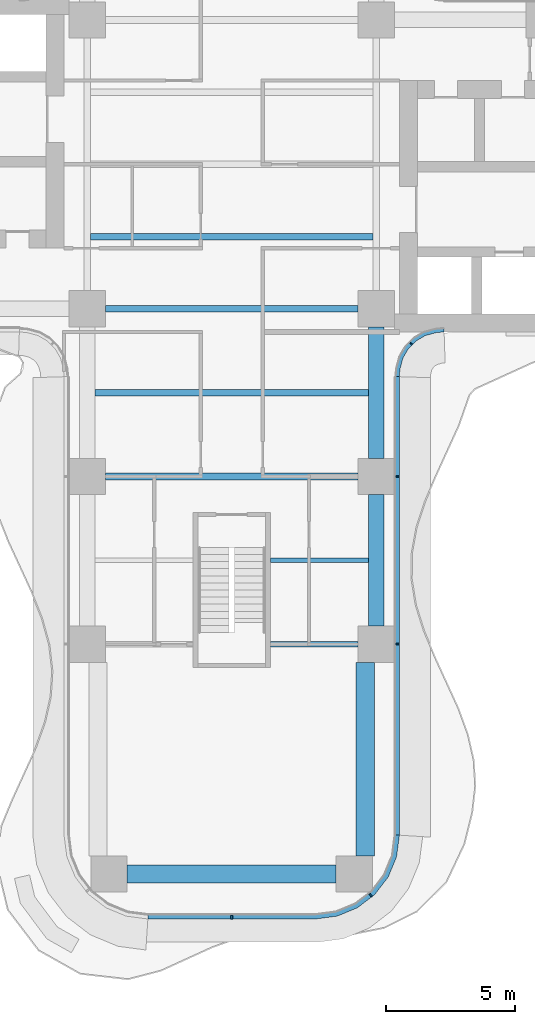
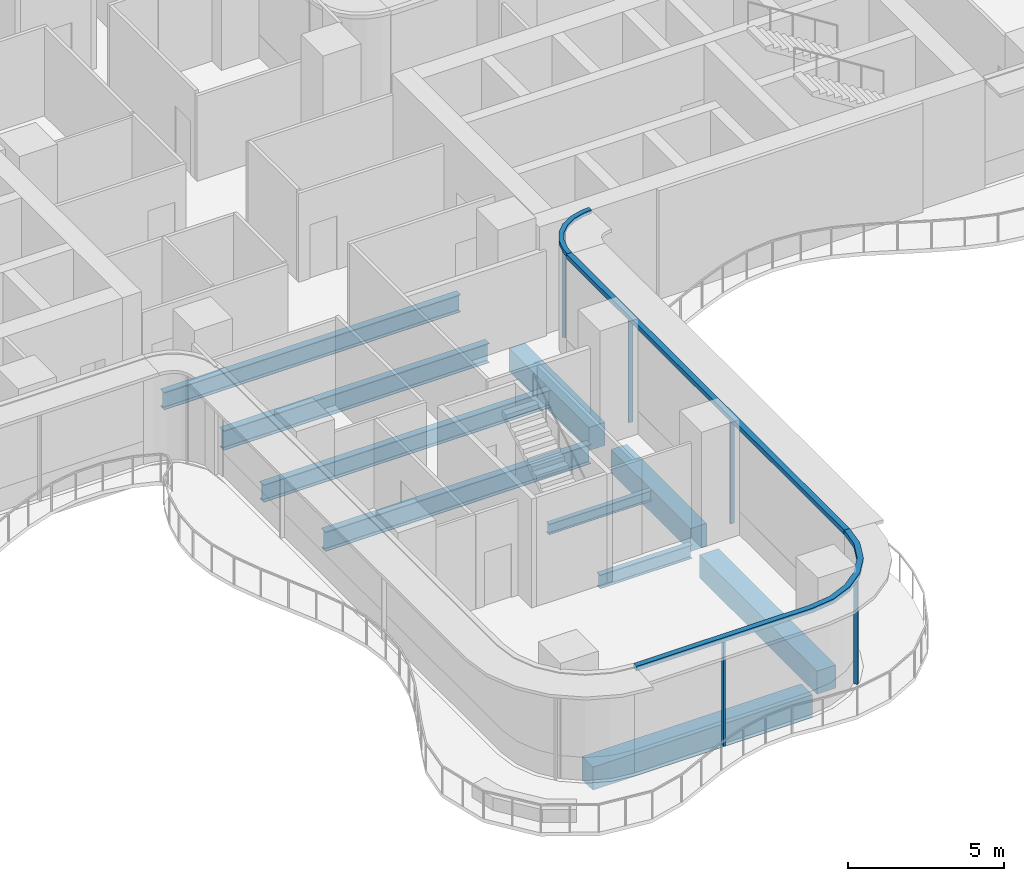
# One storey, part 5 of 22: 10 beams, 8 members, 3 elements without a shape of their own.
"""IFC4 building model written with IfcOpenShell, lengths in metres."""

from ifc_helpers import new_model, si_unit, direction, frame, origin, origin_2d, place, context, subcontext, project, spatial, polyline, rectangle, i_section, outline, extrude, source, transform, mapped, material, layer, layer_set, material_profile, profile_set, type_object, element, aggregate, save


model = new_model("IFC4")

# Units and contexts
model_context = context("Model", 3, precision=1e-05, world=origin(), true_north=direction((0.0, 1.0)))
body_context = subcontext(model_context, "Body", "Model", "MODEL_VIEW")
ifc_project = project(units=[si_unit("LENGTHUNIT", "METRE"), si_unit("AREAUNIT", "SQUARE_METRE"), si_unit("VOLUMEUNIT", "CUBIC_METRE"), si_unit("PLANEANGLEUNIT", "RADIAN"), si_unit("MASSUNIT", "GRAM", prefix="KILO")], contexts=[model_context])

# Site, building, storey
site_placement = place(None, origin())
site = spatial("IfcSite", under=ifc_project, at=site_placement, CompositionType="ELEMENT")
building_placement = place(site_placement, origin())
building = spatial("IfcBuilding", under=site, at=building_placement, Name="Trellis Farm Tower", CompositionType="ELEMENT")
storey_placement = place(building_placement, frame((0.0, 0.0, 38.5)))
storey = spatial("IfcBuildingStorey", under=building, at=storey_placement, Name="L07", CompositionType="ELEMENT", Elevation=38.5)

# Beams
ifc_material_1 = material(Name="Steel S355", Category="steel")
ifc_material_profile_1 = material_profile(ifc_material_1, i_section(OverallWidth=0.253662109375, OverallDepth=0.68359375, WebThickness=0.012451171875, FlangeThickness=0.021728515625, FilletRadius=0.01513671875, at=origin_2d()), Name="UB 686x254x140")
ifc_profile_set_1 = profile_set([ifc_material_profile_1], Name="Steel S355")
beam_type_1 = type_object("IfcBeamType", Name="UB 686x254x140 joist", PredefinedType="JOIST", material=ifc_profile_set_1)
shared_shape_1 = source(origin(), body_context, "Body", "SweptSolid", [
    extrude(i_section(OverallWidth=0.253662109375, OverallDepth=0.68359375, WebThickness=0.012451171875, FlangeThickness=0.021728515625, FilletRadius=0.01513671875, at=origin_2d()), origin(), (0.0, 0.0, 1.0), 10.93310546875),
])
beam_1_placement = place(storey_placement, frame((-5.466552734375, -2.800048828125, -0.591796875), z_axis=(1.0, 0.0, 0.0), x_axis=(0.0, 1.0, 0.0)))
element("IfcBeam", 1, at=beam_1_placement, inside=storey, type_object=beam_type_1, Name="Floor beam", PredefinedType="JOIST", context=body_context, shape_type="MappedRepresentation", body=[
    mapped(shared_shape_1, transform((0.0, 0.0, 0.0))),
])
ifc_material_profile_2 = material_profile(ifc_material_1, i_section(OverallWidth=0.209228515625, OverallDepth=0.533203125, WebThickness=0.010009765625, FlangeThickness=0.015625, FilletRadius=0.0126953125, at=origin_2d()), Name="UB 533x210x92")
ifc_profile_set_2 = profile_set([ifc_material_profile_2], Name="Steel S355")
beam_type_2 = type_object("IfcBeamType", Name="UB 533x210x92", PredefinedType="BEAM", material=ifc_profile_set_2)
shared_shape_2 = source(origin(), body_context, "Body", "SweptSolid", [
    extrude(i_section(OverallWidth=0.209228515625, OverallDepth=0.533203125, WebThickness=0.010009765625, FlangeThickness=0.015625, FilletRadius=0.0126953125, at=origin_2d()), origin(), (0.0, 0.0, 1.0), 3.39990234375),
])
beam_2_placement = place(storey_placement, frame((1.5, -18.60009765625, -0.5166015625), z_axis=(1.0, 0.0, 0.0), x_axis=(0.0, 1.0, 0.0)))
element("IfcBeam", 2, at=beam_2_placement, inside=storey, type_object=beam_type_2, Name="Girder", PredefinedType="BEAM", context=body_context, shape_type="MappedRepresentation", body=[
    mapped(shared_shape_2, transform((0.0, 0.0, 0.0))),
])
ifc_material_2 = material(Name="Concrete C60/75", Category="concrete")
ifc_material_profile_3 = material_profile(ifc_material_2, rectangle(XDim=0.60009765625, YDim=0.89990234375, at=origin_2d()), Name="RC spandrel beam 600x900 C60/75")
ifc_profile_set_3 = profile_set([ifc_material_profile_3], Name="Concrete C60/75")
beam_type_3 = type_object("IfcBeamType", Name="RC spandrel beam 600x900 C60/75", PredefinedType="SPANDREL", material=ifc_profile_set_3)
shared_shape_3 = source(origin(), body_context, "Body", "SweptSolid", [
    extrude(rectangle(XDim=0.60009765625, YDim=0.89990234375, at=origin_2d()), origin(), (0.0, 0.0, 1.0), 5.099853515625),
])
for number, where, z_axis, x_axis, name in (
    (3, (5.60009765625, -17.89990234375, -0.699951171875), (0.0, 1.0, 0.0), (-1.0, 0.0, 0.0), "Girder"),
    (4, (5.60009765625, -11.39990234375, -0.699951171875), (0.0, 1.0, 0.0), (-1.0, 0.0, 0.0), "Girder"),
):
    element("IfcBeam", number, at=place(storey_placement, frame(where, z_axis=z_axis, x_axis=x_axis)), inside=storey, type_object=beam_type_3, Name=name, PredefinedType="SPANDREL", context=body_context, shape_type="MappedRepresentation", body=[
        mapped(shared_shape_3, transform((0.0, 0.0, 0.0))),
    ])
ifc_material_profile_4 = material_profile(ifc_material_1, i_section(OverallWidth=0.2666015625, OverallDepth=0.76220703125, WebThickness=0.014404296875, FlangeThickness=0.021484375, FilletRadius=0.0166015625, at=origin_2d()), Name="UB 762x267x173")
ifc_profile_set_4 = profile_set([ifc_material_profile_4], Name="Steel S355")
beam_type_4 = type_object("IfcBeamType", Name="UB 762x267x173", PredefinedType="BEAM", material=ifc_profile_set_4)
shared_shape_4 = source(origin(), body_context, "Body", "SweptSolid", [
    extrude(i_section(OverallWidth=0.2666015625, OverallDepth=0.76220703125, WebThickness=0.014404296875, FlangeThickness=0.021484375, FilletRadius=0.0166015625, at=origin_2d()), origin(), (0.0, 0.0, 1.0), 9.7998046875),
])
for number, where, z_axis, x_axis, name in (
    (5, (-4.89990234375, -12.10009765625, -0.631103515625), (1.0, 0.0, 0.0), (0.0, 1.0, 0.0), "Girder"),
    (6, (-4.89990234375, -5.60009765625, -0.631103515625), (1.0, 0.0, 0.0), (0.0, 1.0, 0.0), "Girder"),
):
    element("IfcBeam", number, at=place(storey_placement, frame(where, z_axis=z_axis, x_axis=x_axis)), inside=storey, type_object=beam_type_4, Name=name, PredefinedType="BEAM", context=body_context, shape_type="MappedRepresentation", body=[
        mapped(shared_shape_4, transform((0.0, 0.0, 0.0))),
    ])
ifc_material_profile_5 = material_profile(ifc_material_2, rectangle(XDim=0.699951171875, YDim=0.89990234375, at=origin_2d()), Name="RC spandrel beam 700x900 C60/75")
ifc_profile_set_5 = profile_set([ifc_material_profile_5], Name="Concrete C60/75")
beam_type_5 = type_object("IfcBeamType", Name="RC spandrel beam 700x900 C60/75", PredefinedType="SPANDREL", material=ifc_profile_set_5)
shared_shape_5 = source(origin(), body_context, "Body", "SweptSolid", [
    extrude(rectangle(XDim=0.699951171875, YDim=0.89990234375, at=origin_2d()), origin(), (0.0, 0.0, 1.0), 8.10009765625),
])
beam_3_placement = place(storey_placement, frame((-4.050048828125, -27.5, -0.699951171875), z_axis=(1.0, 0.0, 0.0), x_axis=(0.0, 1.0, 0.0)))
element("IfcBeam", 7, at=beam_3_placement, inside=storey, type_object=beam_type_5, Name="Girder", PredefinedType="SPANDREL", context=body_context, shape_type="MappedRepresentation", body=[
    mapped(shared_shape_5, transform((0.0, 0.0, 0.0))),
])
shared_shape_6 = source(origin(), body_context, "Body", "SweptSolid", [
    extrude(rectangle(XDim=0.699951171875, YDim=0.89990234375, at=origin_2d()), origin(), (0.0, 0.0, 1.0), 7.5),
])
beam_4_placement = place(storey_placement, frame((5.175048828125, -26.800048828125, -0.699951171875), z_axis=(0.0, 1.0, 0.0), x_axis=(-1.0, 0.0, 0.0)))
element("IfcBeam", 8, at=beam_4_placement, inside=storey, type_object=beam_type_5, Name="Girder", PredefinedType="SPANDREL", context=body_context, shape_type="MappedRepresentation", body=[
    mapped(shared_shape_6, transform((0.0, 0.0, 0.0))),
])
ifc_material_profile_6 = material_profile(ifc_material_1, i_section(OverallWidth=0.177978515625, OverallDepth=0.406494140625, WebThickness=0.0078125, FlangeThickness=0.0126953125, FilletRadius=0.01025390625, at=origin_2d()), Name="UB 406x178x60")
ifc_profile_set_6 = profile_set([ifc_material_profile_6], Name="Steel S355")
beam_type_6 = type_object("IfcBeamType", Name="UB 406x178x60 joist", PredefinedType="JOIST", material=ifc_profile_set_6)
shared_shape_7 = source(origin(), body_context, "Body", "SweptSolid", [
    extrude(i_section(OverallWidth=0.177978515625, OverallDepth=0.406494140625, WebThickness=0.0078125, FlangeThickness=0.0126953125, FilletRadius=0.01025390625, at=origin_2d()), origin(), (0.0, 0.0, 1.0), 3.800048828125),
])
beam_5_placement = place(storey_placement, frame((1.5, -15.35009765625, -0.453125), z_axis=(1.0, 0.0, 0.0), x_axis=(0.0, 1.0, 0.0)))
element("IfcBeam", 9, at=beam_5_placement, inside=storey, type_object=beam_type_6, Name="Floor beam", PredefinedType="JOIST", context=body_context, shape_type="MappedRepresentation", body=[
    mapped(shared_shape_7, transform((0.0, 0.0, 0.0))),
])
shared_shape_8 = source(origin(), body_context, "Body", "SweptSolid", [
    extrude(i_section(OverallWidth=0.253662109375, OverallDepth=0.68359375, WebThickness=0.012451171875, FlangeThickness=0.021728515625, FilletRadius=0.01513671875, at=origin_2d()), origin(), (0.0, 0.0, 1.0), 10.60009765625),
])
beam_6_placement = place(storey_placement, frame((-5.300048828125, -8.85009765625, -0.591796875), z_axis=(1.0, 0.0, 0.0), x_axis=(0.0, 1.0, 0.0)))
element("IfcBeam", 10, at=beam_6_placement, inside=storey, type_object=beam_type_1, Name="Floor beam", PredefinedType="JOIST", context=body_context, shape_type="MappedRepresentation", body=[
    mapped(shared_shape_8, transform((0.0, 0.0, 0.0))),
])

# Curtain wall, members
ifc_material_3 = material(Name="Aluminium and glass curtain wall", Category="aluminium")
ifc_layer_1 = layer(ifc_material_3, 0.18994140625)
ifc_layer_set_1 = layer_set([ifc_layer_1], Name="RIBBON CURTAIN WALL CW1")
curtain_wall_type_1 = type_object("IfcCurtainWallType", Name="RIBBON CURTAIN WALL CW1", PredefinedType="NOTDEFINED", material=ifc_layer_set_1)
placement_1 = place(storey_placement, origin())
curtain_wall_1 = element("IfcCurtainWall", 11, at=placement_1, inside=storey, type_object=curtain_wall_type_1, Name="CW1 003", PredefinedType="NOTDEFINED")
ifc_material_4 = material(Name="Aluminium extrusion 6063-T6", Category="aluminium")
ifc_material_profile_7 = material_profile(ifc_material_4, rectangle(XDim=0.06005859375, YDim=0.14990234375, at=origin_2d()), Name="MULLION 60x150")
ifc_profile_set_7 = profile_set([ifc_material_profile_7], Name="Aluminium extrusion 6063-T6")
member_type_1 = type_object("IfcMemberType", Name="CW1 MULLION 60x150", PredefinedType="MULLION", material=ifc_profile_set_7)
shared_shape_9 = source(origin(), body_context, "Body", "SweptSolid", [
    extrude(rectangle(XDim=0.06005859375, YDim=0.14990234375, at=origin_2d()), origin(), (0.0, 0.0, 1.0), 4.070068359375),
])
member_1_placement = place(storey_placement, frame((0.0, -29.175048828125, 0.0), z_axis=(0.0, 0.0, 1.0), x_axis=(1.0, 0.0, 0.0)))
member_1 = element("IfcMember", 12, at=member_1_placement, type_object=member_type_1, Name="MU1 003-01", PredefinedType="MULLION", context=body_context, shape_type="MappedRepresentation", body=[
    mapped(shared_shape_9, transform((0.0, 0.0, 0.0))),
])
member_2_placement = place(storey_placement, frame((5.385498046875, -28.328369140625, 0.0), z_axis=(0.0, 0.0, 1.0), x_axis=(0.793353340291, 0.608761429009, 0.0)))
member_2 = element("IfcMember", 13, at=member_2_placement, type_object=member_type_1, Name="MU1 003-02", PredefinedType="MULLION", context=body_context, shape_type="MappedRepresentation", body=[
    mapped(shared_shape_9, transform((0.0, 0.0, 0.0))),
])

curtain_wall_2 = element("IfcCurtainWall", 14, at=placement_1, inside=storey, type_object=curtain_wall_type_1, Name="CW1 004", PredefinedType="NOTDEFINED")
member_3_placement = place(storey_placement, frame((6.425048828125, -18.60009765625, 0.0), z_axis=(0.0, 0.0, 1.0), x_axis=(0.0, 1.0, 0.0)))
member_3 = element("IfcMember", 15, at=member_3_placement, type_object=member_type_1, Name="MU1 004-01", PredefinedType="MULLION", context=body_context, shape_type="MappedRepresentation", body=[
    mapped(shared_shape_9, transform((0.0, 0.0, 0.0))),
])
member_4_placement = place(storey_placement, frame((6.425048828125, -12.10009765625, 0.0), z_axis=(0.0, 0.0, 1.0), x_axis=(0.0, 1.0, 0.0)))
member_4 = element("IfcMember", 16, at=member_4_placement, type_object=member_type_1, Name="MU1 004-02", PredefinedType="MULLION", context=body_context, shape_type="MappedRepresentation", body=[
    mapped(shared_shape_9, transform((0.0, 0.0, 0.0))),
])

# Curtain wall, member
ifc_layer_2 = layer(ifc_material_3, 0.166015625)
ifc_layer_set_2 = layer_set([ifc_layer_2], Name="WINTER GARDEN CURTAIN WALL CW3")
curtain_wall_type_2 = type_object("IfcCurtainWallType", Name="WINTER GARDEN CURTAIN WALL CW3", PredefinedType="NOTDEFINED", material=ifc_layer_set_2)
curtain_wall_3 = element("IfcCurtainWall", 17, at=placement_1, inside=storey, type_object=curtain_wall_type_2, Name="CW3 002", PredefinedType="NOTDEFINED")
ifc_material_profile_8 = material_profile(ifc_material_4, rectangle(XDim=0.050048828125, YDim=0.1201171875, at=origin_2d()), Name="MULLION 50x120")
ifc_profile_set_8 = profile_set([ifc_material_profile_8], Name="Aluminium extrusion 6063-T6")
member_type_2 = type_object("IfcMemberType", Name="CW3 MULLION 50x120", PredefinedType="MULLION", material=ifc_profile_set_8)
shared_shape_10 = source(origin(), body_context, "Body", "SweptSolid", [
    extrude(rectangle(XDim=0.050048828125, YDim=0.1201171875, at=origin_2d()), origin(), (0.0, 0.0, 1.0), 4.10009765625),
])
member_5_placement = place(storey_placement, frame((6.953125, -6.953125, 0.0), z_axis=(0.0, 0.0, 1.0), x_axis=(0.707106781187, 0.707106781187, 0.0)))
member_5 = element("IfcMember", 18, at=member_5_placement, type_object=member_type_2, Name="MU3 002-01", PredefinedType="MULLION", context=body_context, shape_type="MappedRepresentation", body=[
    mapped(shared_shape_10, transform((0.0, 0.0, 0.0))),
])

# Member
ifc_layer_3 = layer(ifc_material_4, 0.199951171875)
ifc_layer_set_3 = layer_set([ifc_layer_3], Name="Aluminium extrusion 6063-T6")
member_type_3 = type_object("IfcMemberType", Name="CW1 TRANSOM 200x180", PredefinedType="USERDEFINED", material=ifc_layer_set_3)
shared_shape_11 = source(origin(), body_context, "Body", "SweptSolid", [
    extrude(outline(polyline([(-3.25, -29.25), (3.25, -29.25), (4.091064453125, -29.13916015625), (4.875, -28.814697265625), (5.548095703125, -28.298095703125), (6.064697265625, -27.625), (6.38916015625, -26.841064453125), (6.5, -26.0), (6.300048828125, -25.98681640625), (6.1943359375, -26.7890625), (5.889892578125, -27.524169921875), (5.405517578125, -28.155517578125), (4.774169921875, -28.639892578125), (4.0390625, -28.9443359375), (3.23681640625, -29.050048828125), (-3.23681640625, -29.050048828125), (-3.25, -29.25)])), origin(), (0.0, 0.0, 1.0), 0.179931640625),
])
placement_2 = place(storey_placement, frame((0.0, 0.0, 4.070068359375)))
member_6 = element("IfcMember", 19, at=placement_2, type_object=member_type_3, Name="TR1 003", ObjectType="TRANSOM", PredefinedType="USERDEFINED", context=body_context, shape_type="MappedRepresentation", body=[
    mapped(shared_shape_11, transform((0.0, 0.0, 0.0))),
])

aggregate(curtain_wall_1, [member_1, member_2, member_6])

shared_shape_12 = source(origin(), body_context, "Body", "SweptSolid", [
    extrude(outline(polyline([(6.5, -26.0), (6.5, -8.2314453125), (6.300048828125, -8.224853515625), (6.300048828125, -25.98681640625), (6.5, -26.0)])), origin(), (0.0, 0.0, 1.0), 0.179931640625),
])
member_7 = element("IfcMember", 20, at=placement_2, type_object=member_type_3, Name="TR1 004", ObjectType="TRANSOM", PredefinedType="USERDEFINED", context=body_context, shape_type="MappedRepresentation", body=[
    mapped(shared_shape_12, transform((0.0, 0.0, 0.0))),
])

aggregate(curtain_wall_2, [member_3, member_4, member_7])

ifc_layer_4 = layer(ifc_material_4, 0.169921875)
ifc_layer_set_4 = layer_set([ifc_layer_4], Name="Aluminium extrusion 6063-T6")
member_type_4 = type_object("IfcMemberType", Name="CW3 TRANSOM 170x150", PredefinedType="USERDEFINED", material=ifc_layer_set_4)
shared_shape_13 = source(origin(), body_context, "Body", "SweptSolid", [
    extrude(outline(polyline([(6.5, -8.2314453125), (6.513916015625, -8.01953125), (6.527587890625, -7.91552734375), (6.63671875, -7.508544921875), (6.846923828125, -7.144287109375), (7.144287109375, -6.846923828125), (7.508544921875, -6.63671875), (7.91552734375, -6.527587890625), (8.01953125, -6.513916015625), (8.2314453125, -6.5), (8.225830078125, -6.330078125), (8.0029296875, -6.3447265625), (7.88232421875, -6.360595703125), (7.44287109375, -6.478271484375), (7.0400390625, -6.7109375), (6.7109375, -7.0400390625), (6.478271484375, -7.44287109375), (6.360595703125, -7.88232421875), (6.3447265625, -8.0029296875), (6.330078125, -8.225830078125), (6.5, -8.2314453125)])), origin(), (0.0, 0.0, 1.0), 0.14990234375),
])
member_8_placement = place(storey_placement, frame((0.0, 0.0, 4.10009765625)))
member_8 = element("IfcMember", 21, at=member_8_placement, type_object=member_type_4, Name="TR3 002", ObjectType="TRANSOM", PredefinedType="USERDEFINED", context=body_context, shape_type="MappedRepresentation", body=[
    mapped(shared_shape_13, transform((0.0, 0.0, 0.0))),
])

aggregate(curtain_wall_3, [member_5, member_8])

save(model, "model.ifc")
